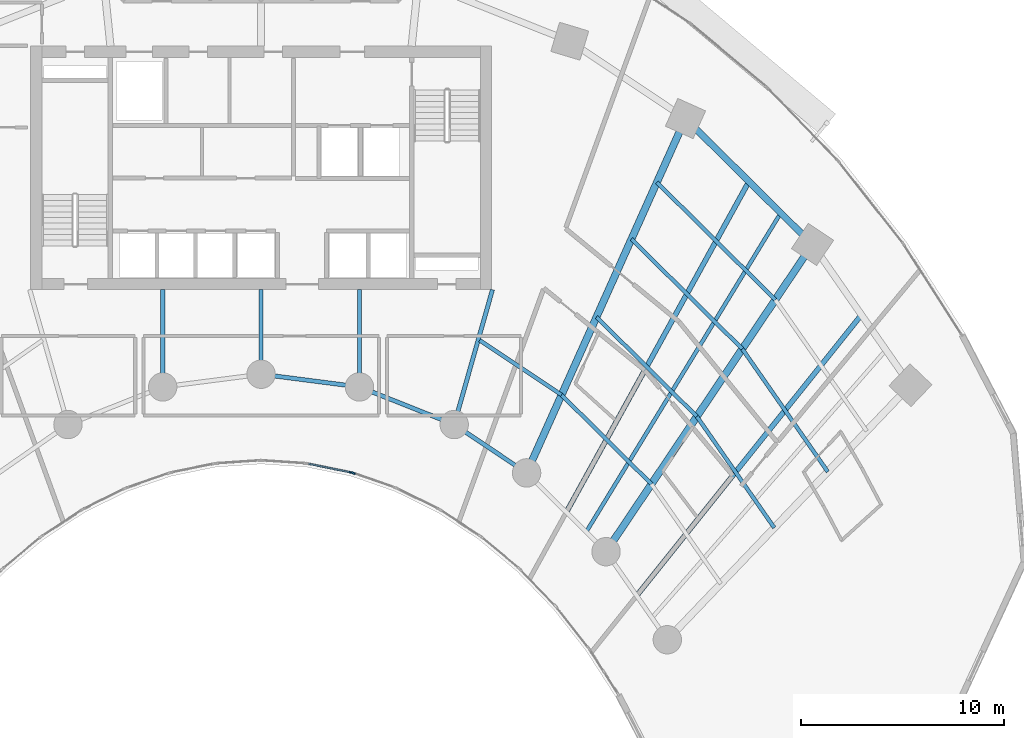
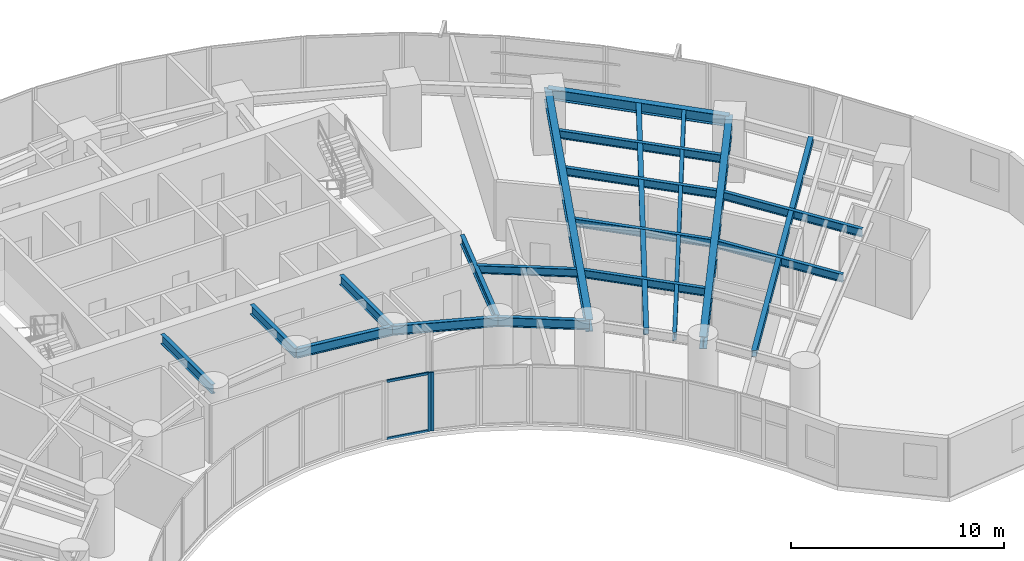
# One storey, part 5 of 17: 20 beams, 4 members, 2 elements without a shape of their own.
"""IFC4 building model written with IfcOpenShell, lengths in metres."""

from ifc_helpers import new_model, si_unit, direction, frame, origin, origin_2d, place, context, subcontext, project, spatial, rectangle, hollow_rectangle, i_section, extrude, source, transform, mapped, material, layer, layer_set, material_profile, profile_set, type_object, type_shapes, element, aggregate, save


model = new_model("IFC4")

# Units and contexts
model_context = context("Model", 3, precision=1e-05, world=origin(), true_north=direction((0.0, 1.0)))
body_context = subcontext(model_context, "Body", "Model", "MODEL_VIEW")
ifc_project = project(units=[si_unit("LENGTHUNIT", "METRE"), si_unit("AREAUNIT", "SQUARE_METRE"), si_unit("VOLUMEUNIT", "CUBIC_METRE"), si_unit("PLANEANGLEUNIT", "RADIAN"), si_unit("MASSUNIT", "GRAM", prefix="KILO")], contexts=[model_context])

# Site, building, storey
site_placement = place(None, origin())
site = spatial("IfcSite", under=ifc_project, at=site_placement, CompositionType="ELEMENT")
building_placement = place(site_placement, origin())
building = spatial("IfcBuilding", under=site, at=building_placement, Name="Breltana Convention Tower", CompositionType="ELEMENT")
storey_placement = place(building_placement, frame((0.0, 0.0, 71.39990234375)))
storey = spatial("IfcBuildingStorey", under=building, at=storey_placement, Name="L16", CompositionType="ELEMENT", Elevation=71.39990234375)

# Beams
ifc_material_1 = material(Name="Steel ASTM A992 Grade 50", Category="steel")
ifc_material_profile_1 = material_profile(ifc_material_1, i_section(OverallWidth=0.323974609375, OverallDepth=0.611083984375, WebThickness=0.0126953125, FlangeThickness=0.01904296875, at=origin_2d()), Name="W24X104")
ifc_profile_set_1 = profile_set([ifc_material_profile_1], Name="Steel ASTM A992 Grade 50")
beam_type_1 = type_object("IfcBeamType", Name="BM-SP-W24X104", PredefinedType="SPANDREL", material=ifc_profile_set_1)
shared_shape_1 = source(origin(), body_context, "Body", "SweptSolid", [
    extrude(i_section(OverallWidth=0.323974609375, OverallDepth=0.611083984375, WebThickness=0.0126953125, FlangeThickness=0.01904296875, at=origin_2d()), origin(), (0.0, 0.0, 1.0), 8.810302734375),
])
beam_1_placement = place(storey_placement, frame((68.910400390625, 68.63330078125, 3.0546875), z_axis=(0.710120823582, -0.704079836322, 0.0), x_axis=(0.704079836322, 0.710120823582, 0.0)))
element("IfcBeam", 1, at=beam_1_placement, inside=storey, type_object=beam_type_1, Name="L16 Outer Spandrel Beam 09", PredefinedType="SPANDREL", context=body_context, shape_type="MappedRepresentation", body=[
    mapped(shared_shape_1, transform((0.0, 0.0, 0.0), scale=1.0)),
])
ifc_material_profile_2 = material_profile(ifc_material_1, i_section(OverallWidth=0.2099609375, OverallDepth=0.537109375, WebThickness=0.010986328125, FlangeThickness=0.017333984375, at=origin_2d()), Name="W21X68")
ifc_profile_set_2 = profile_set([ifc_material_profile_2], Name="Steel ASTM A992 Grade 50")
beam_type_2 = type_object("IfcBeamType", Name="BM-BM-W21X68", PredefinedType="BEAM", material=ifc_profile_set_2)
shared_shape_2 = source(origin(), body_context, "Body", "SweptSolid", [
    extrude(i_section(OverallWidth=0.2099609375, OverallDepth=0.537109375, WebThickness=0.010986328125, FlangeThickness=0.017333984375, at=origin_2d()), origin(), (0.0, 0.0, 1.0), 6.904541015625),
])
type_shapes(beam_type_2, [shared_shape_2])
beam_2_placement = place(storey_placement, frame((59.39990234375, 60.199951171875, 3.091552734375), z_axis=(-0.273006781054, -0.962012108811, 0.0), x_axis=(0.962012108811, -0.273006781054, 0.0)))
element("IfcBeam", 2, at=beam_2_placement, inside=storey, type_object=beam_type_2, Name="L16 South Core Tie Girder R08", PredefinedType="BEAM", context=body_context, shape_type="MappedRepresentation", body=[
    mapped(shared_shape_2, transform((0.0, 0.0, 0.0), scale=1.0)),
])
shared_shape_3 = source(origin(), body_context, "Body", "SweptSolid", [
    extrude(i_section(OverallWidth=0.2099609375, OverallDepth=0.537109375, WebThickness=0.010986328125, FlangeThickness=0.017333984375, at=origin_2d()), origin(), (0.0, 0.0, 1.0), 4.789306640625),
])
for number, where, z_axis, x_axis, name in (
    (3, (43.153564453125, 60.199951171875, 3.091552734375), (0.0, -1.0, 0.0), (1.0, 0.0, 0.0), "L16 South Core Tie Girder R05"),
    (4, (52.846435546875, 60.199951171875, 3.091552734375), (0.0, -1.0, 0.0), (1.0, 0.0, 0.0), "L16 South Core Tie Girder R07"),
):
    element("IfcBeam", number, at=place(storey_placement, frame(where, z_axis=z_axis, x_axis=x_axis)), inside=storey, type_object=beam_type_2, Name=name, PredefinedType="BEAM", context=body_context, shape_type="MappedRepresentation", body=[
        mapped(shared_shape_3, transform((0.0, 0.0, 0.0), scale=1.0)),
    ])
shared_shape_4 = source(origin(), body_context, "Body", "SweptSolid", [
    extrude(i_section(OverallWidth=0.2099609375, OverallDepth=0.537109375, WebThickness=0.010986328125, FlangeThickness=0.017333984375, at=origin_2d()), origin(), (0.0, 0.0, 1.0), 4.1640625),
])
beam_3_placement = place(storey_placement, frame((48.0, 60.199951171875, 3.091552734375), z_axis=(0.0, -1.0, 0.0), x_axis=(1.0, 0.0, 0.0)))
element("IfcBeam", 5, at=beam_3_placement, inside=storey, type_object=beam_type_2, Name="L16 South Core Tie Girder R06", PredefinedType="BEAM", context=body_context, shape_type="MappedRepresentation", body=[
    mapped(shared_shape_4, transform((0.0, 0.0, 0.0), scale=1.0)),
])
ifc_material_profile_3 = material_profile(ifc_material_1, i_section(OverallWidth=0.35498046875, OverallDepth=0.696044921875, WebThickness=0.015380859375, FlangeThickness=0.02490234375, at=origin_2d()), Name="W27X146")
ifc_profile_set_3 = profile_set([ifc_material_profile_3], Name="Steel ASTM A992 Grade 50")
beam_type_3 = type_object("IfcBeamType", Name="BM-RG-W27X146", PredefinedType="USERDEFINED", material=ifc_profile_set_3)
shared_shape_5 = source(origin(), body_context, "Body", "SweptSolid", [
    extrude(i_section(OverallWidth=0.35498046875, OverallDepth=0.696044921875, WebThickness=0.015380859375, FlangeThickness=0.02490234375, at=origin_2d()), origin(), (0.0, 0.0, 1.0), 19.133544921875),
])
beam_4_placement = place(storey_placement, frame((61.08203125, 51.174560546875, 3.01220703125), z_axis=(0.409144564164, 0.912469575172, 0.0), x_axis=(-0.912469575172, 0.409144564164, 0.0)))
element("IfcBeam", 6, at=beam_4_placement, inside=storey, type_object=beam_type_3, Name="L16 Radial Floor Girder R09", ObjectType="GIRDER", PredefinedType="USERDEFINED", context=body_context, shape_type="MappedRepresentation", body=[
    mapped(shared_shape_5, transform((0.0, 0.0, 0.0), scale=1.0)),
])
shared_shape_6 = source(origin(), body_context, "Body", "SweptSolid", [
    extrude(i_section(OverallWidth=0.35498046875, OverallDepth=0.696044921875, WebThickness=0.015380859375, FlangeThickness=0.02490234375, at=origin_2d()), origin(), (0.0, 0.0, 1.0), 18.236328125),
])
beam_5_placement = place(storey_placement, frame((64.995849609375, 47.293701171875, 3.01220703125), z_axis=(0.557730360975, 0.830022195153, 0.0), x_axis=(-0.830022195153, 0.557730360975, 0.0)))
element("IfcBeam", 7, at=beam_5_placement, inside=storey, type_object=beam_type_3, Name="L16 Radial Floor Girder R10", ObjectType="GIRDER", PredefinedType="USERDEFINED", context=body_context, shape_type="MappedRepresentation", body=[
    mapped(shared_shape_6, transform((0.0, 0.0, 0.0), scale=1.0)),
])
shared_shape_7 = source(origin(), body_context, "Body", "SweptSolid", [
    extrude(i_section(OverallWidth=0.2099609375, OverallDepth=0.537109375, WebThickness=0.010986328125, FlangeThickness=0.017333984375, at=origin_2d()), origin(), (0.0, 0.0, 1.0), 5.022705078125),
])
beam_6_placement = place(storey_placement, frame((52.846435546875, 55.41064453125, 3.091552734375), z_axis=(0.929458966248, -0.368925507469, 0.0), x_axis=(0.368925507469, 0.929458966248, 0.0)))
element("IfcBeam", 8, at=beam_6_placement, inside=storey, type_object=beam_type_2, Name="L16 Inner Ring Beam 07", PredefinedType="BEAM", context=body_context, shape_type="MappedRepresentation", body=[
    mapped(shared_shape_7, transform((0.0, 0.0, 0.0), scale=1.0)),
])
shared_shape_8 = source(origin(), body_context, "Body", "SweptSolid", [
    extrude(i_section(OverallWidth=0.2099609375, OverallDepth=0.537109375, WebThickness=0.010986328125, FlangeThickness=0.017333984375, at=origin_2d()), origin(), (0.0, 0.0, 1.0), 4.88671875),
])
beam_7_placement = place(storey_placement, frame((48.0, 56.035888671875, 3.091552734375), z_axis=(0.991780525565, -0.127950729231, 0.0), x_axis=(0.127950729231, 0.991780525565, 0.0)))
element("IfcBeam", 9, at=beam_7_placement, inside=storey, type_object=beam_type_2, Name="L16 Inner Ring Beam 06", PredefinedType="BEAM", context=body_context, shape_type="MappedRepresentation", body=[
    mapped(shared_shape_8, transform((0.0, 0.0, 0.0), scale=1.0)),
])
shared_shape_9 = source(origin(), body_context, "Body", "SweptSolid", [
    extrude(i_section(OverallWidth=0.2099609375, OverallDepth=0.537109375, WebThickness=0.010986328125, FlangeThickness=0.017333984375, at=origin_2d()), origin(), (0.0, 0.0, 1.0), 4.2900390625),
])
beam_8_placement = place(storey_placement, frame((57.514892578125, 53.5576171875, 3.091552734375), z_axis=(0.831515827753, -0.555501060482, 0.0), x_axis=(0.555501060482, 0.831515827753, 0.0)))
element("IfcBeam", 10, at=beam_8_placement, inside=storey, type_object=beam_type_2, Name="L16 Inner Ring Beam 08", PredefinedType="BEAM", context=body_context, shape_type="MappedRepresentation", body=[
    mapped(shared_shape_9, transform((0.0, 0.0, 0.0), scale=1.0)),
])
ifc_material_profile_4 = material_profile(ifc_material_1, i_section(OverallWidth=0.19091796875, OverallDepth=0.4599609375, WebThickness=0.010009765625, FlangeThickness=0.01611328125, at=origin_2d()), Name="W18X55")
ifc_profile_set_4 = profile_set([ifc_material_profile_4], Name="Steel ASTM A992 Grade 50")
beam_type_4 = type_object("IfcBeamType", Name="BM-JSG-07", PredefinedType="JOIST", material=ifc_profile_set_4)
shared_shape_10 = source(origin(), body_context, "Body", "SweptSolid", [
    extrude(i_section(OverallWidth=0.19091796875, OverallDepth=0.4599609375, WebThickness=0.010009765625, FlangeThickness=0.01611328125, at=origin_2d()), origin(), (0.0, 0.0, 1.0), 4.854736328125),
])
beam_9_placement = place(storey_placement, frame((58.767578125, 57.71240234375, 3.130126953125), z_axis=(0.831485074305, -0.555547091801, 0.0), x_axis=(0.555547091801, 0.831485074305, 0.0)))
element("IfcBeam", 11, at=beam_9_placement, inside=storey, type_object=beam_type_4, Name="L16 Composite Floor Joist 08.1", PredefinedType="JOIST", context=body_context, shape_type="MappedRepresentation", body=[
    mapped(shared_shape_10, transform((0.0, 0.0, 0.0), scale=1.0)),
])
shared_shape_11 = source(origin(), body_context, "Body", "SweptSolid", [
    extrude(i_section(OverallWidth=0.19091796875, OverallDepth=0.4599609375, WebThickness=0.010009765625, FlangeThickness=0.01611328125, at=origin_2d()), origin(), (0.0, 0.0, 1.0), 6.2373046875),
])
beam_10_placement = place(storey_placement, frame((62.80419921875, 55.015380859375, 3.130126953125), z_axis=(0.710114292485, -0.704086423394, 0.0), x_axis=(0.704086423394, 0.710114292485, 0.0)))
element("IfcBeam", 12, at=beam_10_placement, inside=storey, type_object=beam_type_4, Name="L16 Composite Floor Joist 09.1", PredefinedType="JOIST", context=body_context, shape_type="MappedRepresentation", body=[
    mapped(shared_shape_11, transform((0.0, 0.0, 0.0), scale=1.0)),
])
shared_shape_12 = source(origin(), body_context, "Body", "SweptSolid", [
    extrude(i_section(OverallWidth=0.19091796875, OverallDepth=0.4599609375, WebThickness=0.010009765625, FlangeThickness=0.01611328125, at=origin_2d()), origin(), (0.0, 0.0, 1.0), 6.963134765625),
])
beam_11_placement = place(storey_placement, frame((64.526611328125, 58.8564453125, 3.130126953125), z_axis=(0.71009817493, -0.704102678564, 0.0), x_axis=(0.704102678564, 0.71009817493, 0.0)))
element("IfcBeam", 13, at=beam_11_placement, inside=storey, type_object=beam_type_4, Name="L16 Composite Floor Joist 09.2", PredefinedType="JOIST", context=body_context, shape_type="MappedRepresentation", body=[
    mapped(shared_shape_12, transform((0.0, 0.0, 0.0), scale=1.0)),
])
shared_shape_13 = source(origin(), body_context, "Body", "SweptSolid", [
    extrude(i_section(OverallWidth=0.19091796875, OverallDepth=0.4599609375, WebThickness=0.010009765625, FlangeThickness=0.01611328125, at=origin_2d()), origin(), (0.0, 0.0, 1.0), 7.688720703125),
])
beam_12_placement = place(storey_placement, frame((66.248779296875, 62.697265625, 3.130126953125), z_axis=(0.710101109809, -0.704099718682, 0.0), x_axis=(0.704099718682, 0.710101109809, 0.0)))
element("IfcBeam", 14, at=beam_12_placement, inside=storey, type_object=beam_type_4, Name="L16 Composite Floor Joist 09.3", PredefinedType="JOIST", context=body_context, shape_type="MappedRepresentation", body=[
    mapped(shared_shape_13, transform((0.0, 0.0, 0.0), scale=1.0)),
])
shared_shape_14 = source(origin(), body_context, "Body", "SweptSolid", [
    extrude(i_section(OverallWidth=0.19091796875, OverallDepth=0.4599609375, WebThickness=0.010009765625, FlangeThickness=0.01611328125, at=origin_2d()), origin(), (0.0, 0.0, 1.0), 8.21630859375),
])
beam_13_placement = place(storey_placement, frame((67.50146484375, 65.49072265625, 3.130126953125), z_axis=(0.710101511063, -0.704099314008, 0.0), x_axis=(0.704099314008, 0.710101511063, 0.0)))
element("IfcBeam", 15, at=beam_13_placement, inside=storey, type_object=beam_type_4, Name="L16 Composite Floor Joist 09.4", PredefinedType="JOIST", context=body_context, shape_type="MappedRepresentation", body=[
    mapped(shared_shape_14, transform((0.0, 0.0, 0.0), scale=1.0)),
])
ifc_material_profile_5 = material_profile(ifc_material_1, hollow_rectangle(XDim=0.25, YDim=0.35009765625, WallThickness=0.011962890625, at=origin_2d()), Name="RHS350X250X12")
ifc_profile_set_5 = profile_set([ifc_material_profile_5], Name="Steel ASTM A992 Grade 50")
beam_type_5 = type_object("IfcBeamType", Name="BM-JSG-12", PredefinedType="JOIST", material=ifc_profile_set_5)
shared_shape_15 = source(origin(), body_context, "Body", "SweptSolid", [
    extrude(hollow_rectangle(XDim=0.25, YDim=0.35009765625, WallThickness=0.011962890625, at=origin_2d()), origin(), (0.0, 0.0, 1.0), 18.617431640625),
])
beam_14_placement = place(storey_placement, frame((63.038818359375, 49.234130859375, 3.18505859375), z_axis=(0.483405602507, 0.875396495004, 0.0), x_axis=(-0.875396495004, 0.483405602507, 0.0)))
element("IfcBeam", 16, at=beam_14_placement, inside=storey, type_object=beam_type_5, Name="L16 Mid-Bay Radial Trimmer 09", PredefinedType="JOIST", context=body_context, shape_type="MappedRepresentation", body=[
    mapped(shared_shape_15, transform((0.0, 0.0, 0.0), scale=1.0)),
])
shared_shape_16 = source(origin(), body_context, "Body", "SweptSolid", [
    extrude(i_section(OverallWidth=0.19091796875, OverallDepth=0.4599609375, WebThickness=0.010009765625, FlangeThickness=0.01611328125, at=origin_2d()), origin(), (0.0, 0.0, 1.0), 18.409423828125),
])
beam_15_placement = place(storey_placement, frame((64.017333984375, 48.263916015625, 3.130126953125), z_axis=(0.520682167606, 0.853750596098, 0.0), x_axis=(-0.853750596098, 0.520682167606, 0.0)))
element("IfcBeam", 17, at=beam_15_placement, inside=storey, type_object=beam_type_4, Name="L16 Quarter-Bay Radial Trimmer 09", PredefinedType="JOIST", context=body_context, shape_type="MappedRepresentation", body=[
    mapped(shared_shape_16, transform((0.0, 0.0, 0.0), scale=1.0)),
])
shared_shape_17 = source(origin(), body_context, "Body", "SweptSolid", [
    extrude(i_section(OverallWidth=0.19091796875, OverallDepth=0.4599609375, WebThickness=0.010009765625, FlangeThickness=0.01611328125, at=origin_2d()), origin(), (0.0, 0.0, 1.0), 6.677978515625),
])
beam_16_placement = place(storey_placement, frame((69.47119140625, 53.95361328125, 3.130126953125), z_axis=(0.571193018768, -0.820815774282, 0.0), x_axis=(0.820815774282, 0.571193018768, 0.0)))
element("IfcBeam", 18, at=beam_16_placement, inside=storey, type_object=beam_type_4, Name="L16 Composite Floor Joist 10.2", PredefinedType="JOIST", context=body_context, shape_type="MappedRepresentation", body=[
    mapped(shared_shape_17, transform((0.0, 0.0, 0.0), scale=1.0)),
])
shared_shape_18 = source(origin(), body_context, "Body", "SweptSolid", [
    extrude(i_section(OverallWidth=0.19091796875, OverallDepth=0.4599609375, WebThickness=0.010009765625, FlangeThickness=0.01611328125, at=origin_2d()), origin(), (0.0, 0.0, 1.0), 7.374267578125),
])
beam_17_placement = place(storey_placement, frame((71.70849609375, 57.28369140625, 3.130126953125), z_axis=(0.571229379406, -0.820790470281, 0.0), x_axis=(0.820790470281, 0.571229379406, 0.0)))
element("IfcBeam", 19, at=beam_17_placement, inside=storey, type_object=beam_type_4, Name="L16 Composite Floor Joist 10.3", PredefinedType="JOIST", context=body_context, shape_type="MappedRepresentation", body=[
    mapped(shared_shape_18, transform((0.0, 0.0, 0.0), scale=1.0)),
])
shared_shape_19 = source(origin(), body_context, "Body", "SweptSolid", [
    extrude(hollow_rectangle(XDim=0.25, YDim=0.35009765625, WallThickness=0.011962890625, at=origin_2d()), origin(), (0.0, 0.0, 1.0), 17.7236328125),
])
beam_18_placement = place(storey_placement, frame((66.505615234375, 45.124267578125, 3.18505859375), z_axis=(0.624829427563, 0.78076128647, 0.0), x_axis=(-0.78076128647, 0.624829427563, 0.0)))
element("IfcBeam", 20, at=beam_18_placement, inside=storey, type_object=beam_type_5, Name="L16 Mid-Bay Radial Trimmer 10", PredefinedType="JOIST", context=body_context, shape_type="MappedRepresentation", body=[
    mapped(shared_shape_19, transform((0.0, 0.0, 0.0), scale=1.0)),
])

# Curtain wall, member
ifc_material_2 = material(Name="Aluminium Anodised Bronze Frame", Category="aluminium")
ifc_layer = layer(ifc_material_2, 0.18994140625, Name="Aluminium Anodised Bronze Frame")
ifc_layer_set = layer_set([ifc_layer], Name="Aluminium Anodised Bronze Frame")
curtain_wall_type = type_object("IfcCurtainWallType", Name="CW-SYS-1", PredefinedType="NOTDEFINED", material=ifc_layer_set)
curtain_wall_1_placement = place(storey_placement, origin())
curtain_wall_1 = element("IfcCurtainWall", 21, at=curtain_wall_1_placement, inside=storey, type_object=curtain_wall_type, Name="L16 inner south-court glazing 7", PredefinedType="NOTDEFINED")
ifc_material_3 = material(Name="Aluminium Anodised Bronze", Category="aluminium")
ifc_material_profile_6 = material_profile(ifc_material_3, rectangle(XDim=0.080078125, YDim=0.199951171875, at=origin_2d()), Name="CWM-80X200")
ifc_profile_set_6 = profile_set([ifc_material_profile_6], Name="Aluminium Anodised Bronze")
member_type_1 = type_object("IfcMemberType", Name="CWM-200", PredefinedType="MULLION", material=ifc_profile_set_6)
shared_shape_20 = source(origin(), body_context, "Body", "SweptSolid", [
    extrude(rectangle(XDim=0.080078125, YDim=0.199951171875, at=origin_2d()), origin(), (0.0, 0.0, 1.0), 3.360107421875),
])
member_1_placement = place(storey_placement, frame((52.54052734375, 51.166015625, 0.0), z_axis=(0.0, 0.0, 1.0), x_axis=(-0.327413341714, -0.944881211406, 0.0)))
member_1 = element("IfcMember", 22, at=member_1_placement, type_object=member_type_1, Name="CW-01 mullion 2", PredefinedType="MULLION", context=body_context, shape_type="MappedRepresentation", body=[
    mapped(shared_shape_20, transform((0.0, 0.0, 0.0), scale=1.0)),
])
aggregate(curtain_wall_1, [member_1])

# Curtain wall, members
curtain_wall_2_placement = place(storey_placement, origin())
curtain_wall_2 = element("IfcCurtainWall", 23, at=curtain_wall_2_placement, inside=storey, type_object=curtain_wall_type, Name="L16 inner south-court glazing 8", PredefinedType="NOTDEFINED")
member_2_placement = place(storey_placement, frame((52.44091796875, 51.193359375, 0.0), z_axis=(0.0, 0.0, 1.0), x_axis=(-0.200886350278, -0.97961455393, 0.0)))
member_2 = element("IfcMember", 24, at=member_2_placement, type_object=member_type_1, Name="CW-01 mullion 1", PredefinedType="MULLION", context=body_context, shape_type="MappedRepresentation", body=[
    mapped(shared_shape_20, transform((0.0, 0.0, 0.0), scale=1.0)),
])
ifc_material_profile_7 = material_profile(ifc_material_3, rectangle(XDim=0.080078125, YDim=0.139892578125, at=origin_2d()), Name="CWT-80X140")
ifc_profile_set_7 = profile_set([ifc_material_profile_7], Name="Aluminium Anodised Bronze")
member_type_2 = type_object("IfcMemberType", Name="CWT-140", PredefinedType="USERDEFINED", material=ifc_profile_set_7)
shared_shape_21 = source(origin(), body_context, "Body", "SweptSolid", [
    extrude(rectangle(XDim=0.080078125, YDim=0.139892578125, at=origin_2d()), origin(), (0.0, 0.0, 1.0), 2.096435546875),
])
member_3_placement = place(storey_placement, frame((52.401611328125, 51.201416015625, 0.0400390625), z_axis=(-0.979615042233, 0.200883969074, 0.0), x_axis=(-0.200883969074, -0.979615042233, 0.0)))
member_3 = element("IfcMember", 25, at=member_3_placement, type_object=member_type_2, Name="CW-01 transom 1.1", ObjectType="TRANSOM", PredefinedType="USERDEFINED", context=body_context, shape_type="MappedRepresentation", body=[
    mapped(shared_shape_21, transform((0.0, 0.0, 0.0), scale=1.0)),
])
member_4_placement = place(storey_placement, frame((52.401611328125, 51.201416015625, 3.320068359375), z_axis=(-0.979615042233, 0.200883969074, 0.0), x_axis=(-0.200883969074, -0.979615042233, 0.0)))
member_4 = element("IfcMember", 26, at=member_4_placement, type_object=member_type_2, Name="CW-01 transom 1.2", ObjectType="TRANSOM", PredefinedType="USERDEFINED", context=body_context, shape_type="MappedRepresentation", body=[
    mapped(shared_shape_21, transform((0.0, 0.0, 0.0), scale=1.0)),
])
aggregate(curtain_wall_2, [member_2, member_3, member_4])

save(model, "model.ifc")
